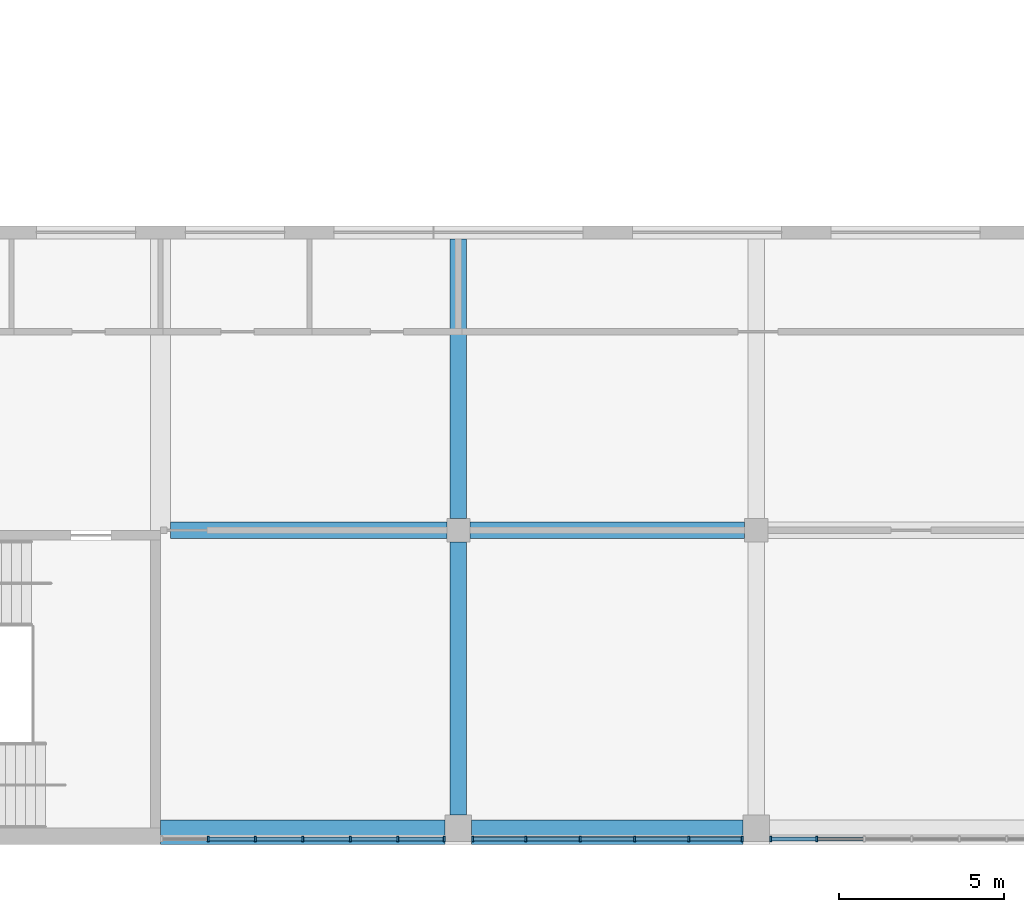
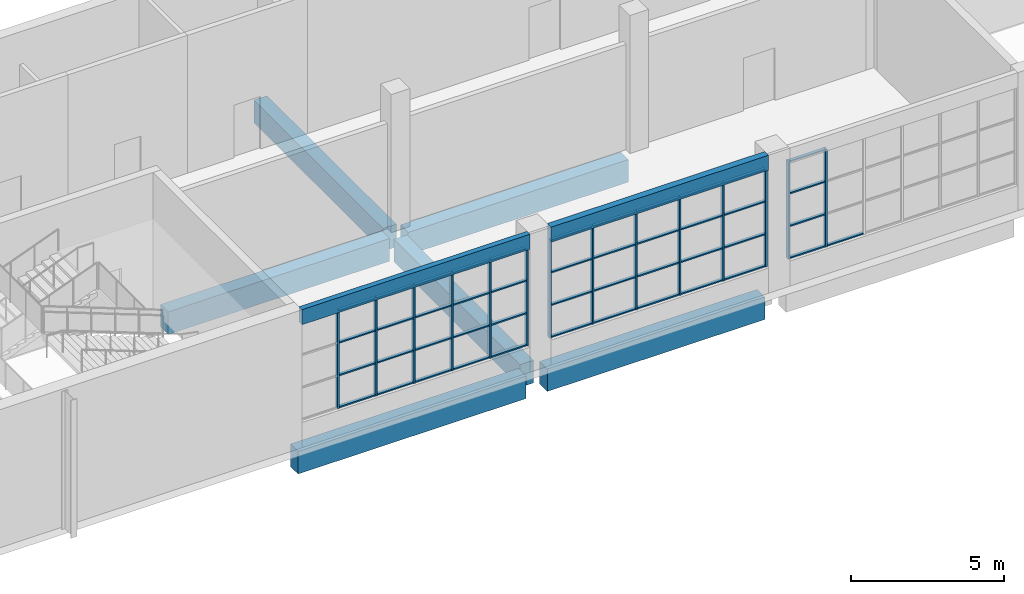
# One storey, part 8 of 84: 59 members, 8 beams, 3 elements without a shape of their own.
"""IFC4 building model written with IfcOpenShell, lengths in metres."""

from ifc_helpers import new_model, si_unit, direction, frame, origin, origin_2d, place, context, subcontext, project, spatial, rectangle, extrude, material, material_profile, profile_set, type_object, element, aggregate, save


model = new_model("IFC4")

# Units and contexts
model_context = context("Model", 3, precision=1e-05, world=origin(), true_north=direction((0.0, 1.0)))
body_context = subcontext(model_context, "Body", "Model", "MODEL_VIEW")
ifc_project = project(units=[si_unit("LENGTHUNIT", "METRE"), si_unit("AREAUNIT", "SQUARE_METRE"), si_unit("VOLUMEUNIT", "CUBIC_METRE"), si_unit("PLANEANGLEUNIT", "RADIAN"), si_unit("MASSUNIT", "GRAM", prefix="KILO")], contexts=[model_context])

# Site, building, storey
site_placement = place(None, origin())
site = spatial("IfcSite", under=ifc_project, at=site_placement, CompositionType="ELEMENT")
building_placement = place(site_placement, origin())
building = spatial("IfcBuilding", under=site, at=building_placement, Name="Silverbay Arena", CompositionType="ELEMENT")
storey_placement = place(building_placement, frame((0.0, 0.0, 28.0)))
storey = spatial("IfcBuildingStorey", under=building, at=storey_placement, Name="L04", CompositionType="ELEMENT", Elevation=28.0)

# Curtain wall, members
ifc_material_1 = material(Name="Aluminium framed curtain wall", Category="aluminium")
curtain_wall_type_1 = type_object("IfcCurtainWallType", Name="Curtain wall 8600 x 3900", PredefinedType="NOTDEFINED", material=ifc_material_1)
curtain_wall_1_placement = place(storey_placement, origin())
curtain_wall_1 = element("IfcCurtainWall", 1, at=curtain_wall_1_placement, inside=storey, type_object=curtain_wall_type_1, Name="South curtain wall L04 bay 8", PredefinedType="NOTDEFINED")
ifc_material_2 = material(Name="Aluminium", Category="aluminium")
ifc_material_profile_1 = material_profile(ifc_material_2, rectangle(XDim=0.159912109375, YDim=0.06005859375, at=origin_2d()), Name="Mullion 60 x 160")
ifc_profile_set_1 = profile_set([ifc_material_profile_1], Name="Aluminium")
member_type_1 = type_object("IfcMemberType", Name="Mullion 60 x 160", PredefinedType="MULLION", material=ifc_profile_set_1)
member_1_placement = place(storey_placement, frame((118.433349609375, 17.669921875, 1.0), z_axis=(0.0, 0.0, 1.0), x_axis=(0.0, 1.0, 0.0)))
member_1 = element("IfcMember", 2, at=member_1_placement, type_object=member_type_1, Name="CW1 mullion 2", PredefinedType="MULLION", context=body_context, shape_type="SweptSolid", body=[
    extrude(rectangle(XDim=0.159912109375, YDim=0.06005859375, at=origin_2d()), origin(), (0.0, 0.0, 1.0), 3.89990234375),
])
member_2_placement = place(storey_placement, frame((119.86669921875, 17.669921875, 1.0), z_axis=(0.0, 0.0, 1.0), x_axis=(0.0, 1.0, 0.0)))
member_2 = element("IfcMember", 3, at=member_2_placement, type_object=member_type_1, Name="CW1 mullion 3", PredefinedType="MULLION", context=body_context, shape_type="SweptSolid", body=[
    extrude(rectangle(XDim=0.159912109375, YDim=0.06005859375, at=origin_2d()), origin(), (0.0, 0.0, 1.0), 3.89990234375),
])
member_3_placement = place(storey_placement, frame((121.300048828125, 17.669921875, 1.0), z_axis=(0.0, 0.0, 1.0), x_axis=(0.0, 1.0, 0.0)))
member_3 = element("IfcMember", 4, at=member_3_placement, type_object=member_type_1, Name="CW1 mullion 4", PredefinedType="MULLION", context=body_context, shape_type="SweptSolid", body=[
    extrude(rectangle(XDim=0.159912109375, YDim=0.06005859375, at=origin_2d()), origin(), (0.0, 0.0, 1.0), 3.89990234375),
])
member_4_placement = place(storey_placement, frame((122.7333984375, 17.669921875, 1.0), z_axis=(0.0, 0.0, 1.0), x_axis=(0.0, 1.0, 0.0)))
member_4 = element("IfcMember", 5, at=member_4_placement, type_object=member_type_1, Name="CW1 mullion 5", PredefinedType="MULLION", context=body_context, shape_type="SweptSolid", body=[
    extrude(rectangle(XDim=0.159912109375, YDim=0.06005859375, at=origin_2d()), origin(), (0.0, 0.0, 1.0), 3.89990234375),
])
member_5_placement = place(storey_placement, frame((124.166748046875, 17.669921875, 1.0), z_axis=(0.0, 0.0, 1.0), x_axis=(0.0, 1.0, 0.0)))
member_5 = element("IfcMember", 6, at=member_5_placement, type_object=member_type_1, Name="CW1 mullion 6", PredefinedType="MULLION", context=body_context, shape_type="SweptSolid", body=[
    extrude(rectangle(XDim=0.159912109375, YDim=0.06005859375, at=origin_2d()), origin(), (0.0, 0.0, 1.0), 3.89990234375),
])
member_6_placement = place(storey_placement, frame((125.570068359375, 17.669921875, 1.0), z_axis=(0.0, 0.0, 1.0), x_axis=(0.0, 1.0, 0.0)))
member_6 = element("IfcMember", 7, at=member_6_placement, type_object=member_type_1, Name="CW1 mullion 7", PredefinedType="MULLION", context=body_context, shape_type="SweptSolid", body=[
    extrude(rectangle(XDim=0.159912109375, YDim=0.06005859375, at=origin_2d()), origin(), (0.0, 0.0, 1.0), 3.89990234375),
])

ifc_material_3 = material(Name="Aluminium framed curtain wall", Category="aluminium")
curtain_wall_type_2 = type_object("IfcCurtainWallType", Name="Curtain wall 8200 x 3900", PredefinedType="NOTDEFINED", material=ifc_material_3)
curtain_wall_2_placement = place(storey_placement, origin())
curtain_wall_2 = element("IfcCurtainWall", 8, at=curtain_wall_2_placement, inside=storey, type_object=curtain_wall_type_2, Name="South curtain wall L04 bay 9", PredefinedType="NOTDEFINED")
member_7_placement = place(storey_placement, frame((126.429931640625, 17.669921875, 1.0), z_axis=(0.0, 0.0, 1.0), x_axis=(0.0, 1.0, 0.0)))
member_7 = element("IfcMember", 9, at=member_7_placement, type_object=member_type_1, Name="CW16 mullion 1", PredefinedType="MULLION", context=body_context, shape_type="SweptSolid", body=[
    extrude(rectangle(XDim=0.159912109375, YDim=0.06005859375, at=origin_2d()), origin(), (0.0, 0.0, 1.0), 3.89990234375),
])
member_8_placement = place(storey_placement, frame((128.0400390625, 17.669921875, 1.0), z_axis=(0.0, 0.0, 1.0), x_axis=(0.0, 1.0, 0.0)))
member_8 = element("IfcMember", 10, at=member_8_placement, type_object=member_type_1, Name="CW16 mullion 2", PredefinedType="MULLION", context=body_context, shape_type="SweptSolid", body=[
    extrude(rectangle(XDim=0.159912109375, YDim=0.06005859375, at=origin_2d()), origin(), (0.0, 0.0, 1.0), 3.89990234375),
])
member_9_placement = place(storey_placement, frame((129.679931640625, 17.669921875, 1.0), z_axis=(0.0, 0.0, 1.0), x_axis=(0.0, 1.0, 0.0)))
member_9 = element("IfcMember", 11, at=member_9_placement, type_object=member_type_1, Name="CW16 mullion 3", PredefinedType="MULLION", context=body_context, shape_type="SweptSolid", body=[
    extrude(rectangle(XDim=0.159912109375, YDim=0.06005859375, at=origin_2d()), origin(), (0.0, 0.0, 1.0), 3.89990234375),
])
member_10_placement = place(storey_placement, frame((131.320068359375, 17.669921875, 1.0), z_axis=(0.0, 0.0, 1.0), x_axis=(0.0, 1.0, 0.0)))
member_10 = element("IfcMember", 12, at=member_10_placement, type_object=member_type_1, Name="CW16 mullion 4", PredefinedType="MULLION", context=body_context, shape_type="SweptSolid", body=[
    extrude(rectangle(XDim=0.159912109375, YDim=0.06005859375, at=origin_2d()), origin(), (0.0, 0.0, 1.0), 3.89990234375),
])
member_11_placement = place(storey_placement, frame((132.9599609375, 17.669921875, 1.0), z_axis=(0.0, 0.0, 1.0), x_axis=(0.0, 1.0, 0.0)))
member_11 = element("IfcMember", 13, at=member_11_placement, type_object=member_type_1, Name="CW16 mullion 5", PredefinedType="MULLION", context=body_context, shape_type="SweptSolid", body=[
    extrude(rectangle(XDim=0.159912109375, YDim=0.06005859375, at=origin_2d()), origin(), (0.0, 0.0, 1.0), 3.89990234375),
])
member_12_placement = place(storey_placement, frame((134.570068359375, 17.669921875, 1.0), z_axis=(0.0, 0.0, 1.0), x_axis=(0.0, 1.0, 0.0)))
member_12 = element("IfcMember", 14, at=member_12_placement, type_object=member_type_1, Name="CW16 mullion 6", PredefinedType="MULLION", context=body_context, shape_type="SweptSolid", body=[
    extrude(rectangle(XDim=0.159912109375, YDim=0.06005859375, at=origin_2d()), origin(), (0.0, 0.0, 1.0), 3.89990234375),
])

curtain_wall_3_placement = place(storey_placement, origin())
curtain_wall_3 = element("IfcCurtainWall", 15, at=curtain_wall_3_placement, inside=storey, type_object=curtain_wall_type_1, Name="South curtain wall L04 bay 10", PredefinedType="NOTDEFINED")
member_13_placement = place(storey_placement, frame((135.429931640625, 17.669921875, 1.0), z_axis=(0.0, 0.0, 1.0), x_axis=(0.0, 1.0, 0.0)))
member_13 = element("IfcMember", 16, at=member_13_placement, type_object=member_type_1, Name="CW1 mullion 1", PredefinedType="MULLION", context=body_context, shape_type="SweptSolid", body=[
    extrude(rectangle(XDim=0.159912109375, YDim=0.06005859375, at=origin_2d()), origin(), (0.0, 0.0, 1.0), 3.89990234375),
])
member_14_placement = place(storey_placement, frame((136.833251953125, 17.669921875, 1.0), z_axis=(0.0, 0.0, 1.0), x_axis=(0.0, 1.0, 0.0)))
member_14 = element("IfcMember", 17, at=member_14_placement, type_object=member_type_1, Name="CW1 mullion 2", PredefinedType="MULLION", context=body_context, shape_type="SweptSolid", body=[
    extrude(rectangle(XDim=0.159912109375, YDim=0.06005859375, at=origin_2d()), origin(), (0.0, 0.0, 1.0), 3.89990234375),
])

# Beams
ifc_material_4 = material(Name="Concrete Grade C45", Category="concrete")
ifc_material_profile_2 = material_profile(ifc_material_4, rectangle(XDim=0.5, YDim=0.89990234375, at=origin_2d()), Name="RC 500x900")
ifc_profile_set_2 = profile_set([ifc_material_profile_2], Name="Concrete Grade C45")
beam_type_1 = type_object("IfcBeamType", Name="RC beam 500x900", PredefinedType="BEAM", material=ifc_profile_set_2)
beam_1_placement = place(storey_placement, frame((117.0, 18.0, -0.75), z_axis=(1.0, 0.0, 0.0), x_axis=(0.0, 1.0, 0.0)))
element("IfcBeam", 18, at=beam_1_placement, inside=storey, type_object=beam_type_1, Name="Floor beam L04 002", PredefinedType="BEAM", context=body_context, shape_type="SweptSolid", body=[
    extrude(rectangle(XDim=0.5, YDim=0.89990234375, at=origin_2d()), origin(), (0.0, 0.0, 1.0), 8.60009765625),
])
beam_2_placement = place(storey_placement, frame((126.39990234375, 18.0, -0.75), z_axis=(1.0, 0.0, 0.0), x_axis=(0.0, 1.0, 0.0)))
element("IfcBeam", 19, at=beam_2_placement, inside=storey, type_object=beam_type_1, Name="Floor beam L04 003", PredefinedType="BEAM", context=body_context, shape_type="SweptSolid", body=[
    extrude(rectangle(XDim=0.5, YDim=0.89990234375, at=origin_2d()), origin(), (0.0, 0.0, 1.0), 8.2001953125),
])
beam_3_placement = place(storey_placement, frame((117.300048828125, 27.0, -0.75), z_axis=(1.0, 0.0, 0.0), x_axis=(0.0, 1.0, 0.0)))
element("IfcBeam", 20, at=beam_3_placement, inside=storey, type_object=beam_type_1, Name="Floor beam L04 007", PredefinedType="BEAM", context=body_context, shape_type="SweptSolid", body=[
    extrude(rectangle(XDim=0.5, YDim=0.89990234375, at=origin_2d()), origin(), (0.0, 0.0, 1.0), 8.349853515625),
])
beam_4_placement = place(storey_placement, frame((126.35009765625, 27.0, -0.75), z_axis=(1.0, 0.0, 0.0), x_axis=(0.0, 1.0, 0.0)))
element("IfcBeam", 21, at=beam_4_placement, inside=storey, type_object=beam_type_1, Name="Floor beam L04 008", PredefinedType="BEAM", context=body_context, shape_type="SweptSolid", body=[
    extrude(rectangle(XDim=0.5, YDim=0.89990234375, at=origin_2d()), origin(), (0.0, 0.0, 1.0), 8.2998046875),
])
beam_5_placement = place(storey_placement, frame((126.0, 18.39990234375, -0.75), z_axis=(0.0, 1.0, 0.0), x_axis=(-1.0, 0.0, 0.0)))
element("IfcBeam", 22, at=beam_5_placement, inside=storey, type_object=beam_type_1, Name="Floor beam L04 115", PredefinedType="BEAM", context=body_context, shape_type="SweptSolid", body=[
    extrude(rectangle(XDim=0.5, YDim=0.89990234375, at=origin_2d()), origin(), (0.0, 0.0, 1.0), 8.25),
])
beam_6_placement = place(storey_placement, frame((126.0, 27.35009765625, -0.75), z_axis=(0.0, 1.0, 0.0), x_axis=(-1.0, 0.0, 0.0)))
element("IfcBeam", 23, at=beam_6_placement, inside=storey, type_object=beam_type_1, Name="Floor beam L04 116", PredefinedType="BEAM", context=body_context, shape_type="SweptSolid", body=[
    extrude(rectangle(XDim=0.5, YDim=0.89990234375, at=origin_2d()), origin(), (0.0, 0.0, 1.0), 8.449951171875),
])
ifc_material_5 = material(Name="Concrete Grade C45", Category="concrete")
ifc_material_profile_3 = material_profile(ifc_material_5, rectangle(XDim=0.199951171875, YDim=0.60009765625, at=origin_2d()), Name="RC 200x600")
ifc_profile_set_3 = profile_set([ifc_material_profile_3], Name="Concrete Grade C45")
beam_type_2 = type_object("IfcBeamType", Name="RC facade beam 200x600", PredefinedType="SPANDREL", material=ifc_profile_set_3)
beam_7_placement = place(storey_placement, frame((117.0, 17.60009765625, 5.199951171875), z_axis=(1.0, 0.0, 0.0), x_axis=(0.0, 1.0, 0.0)))
element("IfcBeam", 24, at=beam_7_placement, inside=storey, type_object=beam_type_2, Name="Facade beam L04 south", PredefinedType="SPANDREL", context=body_context, shape_type="SweptSolid", body=[
    extrude(rectangle(XDim=0.199951171875, YDim=0.60009765625, at=origin_2d()), origin(), (0.0, 0.0, 1.0), 8.60009765625),
])
ifc_material_6 = material(Name="Concrete Grade C45", Category="concrete")
ifc_material_profile_4 = material_profile(ifc_material_6, rectangle(XDim=0.25, YDim=0.60009765625, at=origin_2d()), Name="RC 250x600")
ifc_profile_set_4 = profile_set([ifc_material_profile_4], Name="Concrete Grade C45")
beam_type_3 = type_object("IfcBeamType", Name="RC facade beam 250x600", PredefinedType="SPANDREL", material=ifc_profile_set_4)
beam_8_placement = place(storey_placement, frame((126.39990234375, 17.625, 5.199951171875), z_axis=(1.0, 0.0, 0.0), x_axis=(0.0, 1.0, 0.0)))
element("IfcBeam", 25, at=beam_8_placement, inside=storey, type_object=beam_type_3, Name="Facade beam L04 south", PredefinedType="SPANDREL", context=body_context, shape_type="SweptSolid", body=[
    extrude(rectangle(XDim=0.25, YDim=0.60009765625, at=origin_2d()), origin(), (0.0, 0.0, 1.0), 8.2001953125),
])

# Member
ifc_material_7 = material(Name="Aluminium", Category="aluminium")
ifc_material_profile_5 = material_profile(ifc_material_7, rectangle(XDim=0.1201171875, YDim=0.050048828125, at=origin_2d()), Name="Transom 50 x 120")
ifc_profile_set_5 = profile_set([ifc_material_profile_5], Name="Aluminium")
member_type_2 = type_object("IfcMemberType", Name="Transom 50 x 120", PredefinedType="USERDEFINED", material=ifc_profile_set_5)
member_15_placement = place(storey_placement, frame((118.46337890625, 17.669921875, 1.02490234375), z_axis=(1.0, 0.0, 0.0), x_axis=(0.0, 1.0, 0.0)))
member_15 = element("IfcMember", 26, at=member_15_placement, type_object=member_type_2, Name="CW1 transom 2.1", ObjectType="TRANSOM", PredefinedType="USERDEFINED", context=body_context, shape_type="SweptSolid", body=[
    extrude(rectangle(XDim=0.1201171875, YDim=0.050048828125, at=origin_2d()), origin(), (0.0, 0.0, 1.0), 1.373291015625),
])

member_16_placement = place(storey_placement, frame((118.46337890625, 17.669921875, 2.300048828125), z_axis=(1.0, 0.0, 0.0), x_axis=(0.0, 1.0, 0.0)))
member_16 = element("IfcMember", 27, at=member_16_placement, type_object=member_type_2, Name="CW1 transom 2.2", ObjectType="TRANSOM", PredefinedType="USERDEFINED", context=body_context, shape_type="SweptSolid", body=[
    extrude(rectangle(XDim=0.1201171875, YDim=0.050048828125, at=origin_2d()), origin(), (0.0, 0.0, 1.0), 1.373291015625),
])

member_17_placement = place(storey_placement, frame((118.46337890625, 17.669921875, 3.60009765625), z_axis=(1.0, 0.0, 0.0), x_axis=(0.0, 1.0, 0.0)))
member_17 = element("IfcMember", 28, at=member_17_placement, type_object=member_type_2, Name="CW1 transom 2.3", ObjectType="TRANSOM", PredefinedType="USERDEFINED", context=body_context, shape_type="SweptSolid", body=[
    extrude(rectangle(XDim=0.1201171875, YDim=0.050048828125, at=origin_2d()), origin(), (0.0, 0.0, 1.0), 1.373291015625),
])

member_18_placement = place(storey_placement, frame((118.46337890625, 17.669921875, 4.875), z_axis=(1.0, 0.0, 0.0), x_axis=(0.0, 1.0, 0.0)))
member_18 = element("IfcMember", 29, at=member_18_placement, type_object=member_type_2, Name="CW1 transom 2.4", ObjectType="TRANSOM", PredefinedType="USERDEFINED", context=body_context, shape_type="SweptSolid", body=[
    extrude(rectangle(XDim=0.1201171875, YDim=0.050048828125, at=origin_2d()), origin(), (0.0, 0.0, 1.0), 1.373291015625),
])

member_19_placement = place(storey_placement, frame((119.896728515625, 17.669921875, 1.02490234375), z_axis=(1.0, 0.0, 0.0), x_axis=(0.0, 1.0, 0.0)))
member_19 = element("IfcMember", 30, at=member_19_placement, type_object=member_type_2, Name="CW1 transom 3.1", ObjectType="TRANSOM", PredefinedType="USERDEFINED", context=body_context, shape_type="SweptSolid", body=[
    extrude(rectangle(XDim=0.1201171875, YDim=0.050048828125, at=origin_2d()), origin(), (0.0, 0.0, 1.0), 1.373291015625),
])

member_20_placement = place(storey_placement, frame((119.896728515625, 17.669921875, 2.300048828125), z_axis=(1.0, 0.0, 0.0), x_axis=(0.0, 1.0, 0.0)))
member_20 = element("IfcMember", 31, at=member_20_placement, type_object=member_type_2, Name="CW1 transom 3.2", ObjectType="TRANSOM", PredefinedType="USERDEFINED", context=body_context, shape_type="SweptSolid", body=[
    extrude(rectangle(XDim=0.1201171875, YDim=0.050048828125, at=origin_2d()), origin(), (0.0, 0.0, 1.0), 1.373291015625),
])

member_21_placement = place(storey_placement, frame((119.896728515625, 17.669921875, 3.60009765625), z_axis=(1.0, 0.0, 0.0), x_axis=(0.0, 1.0, 0.0)))
member_21 = element("IfcMember", 32, at=member_21_placement, type_object=member_type_2, Name="CW1 transom 3.3", ObjectType="TRANSOM", PredefinedType="USERDEFINED", context=body_context, shape_type="SweptSolid", body=[
    extrude(rectangle(XDim=0.1201171875, YDim=0.050048828125, at=origin_2d()), origin(), (0.0, 0.0, 1.0), 1.373291015625),
])

member_22_placement = place(storey_placement, frame((119.896728515625, 17.669921875, 4.875), z_axis=(1.0, 0.0, 0.0), x_axis=(0.0, 1.0, 0.0)))
member_22 = element("IfcMember", 33, at=member_22_placement, type_object=member_type_2, Name="CW1 transom 3.4", ObjectType="TRANSOM", PredefinedType="USERDEFINED", context=body_context, shape_type="SweptSolid", body=[
    extrude(rectangle(XDim=0.1201171875, YDim=0.050048828125, at=origin_2d()), origin(), (0.0, 0.0, 1.0), 1.373291015625),
])

member_23_placement = place(storey_placement, frame((121.330078125, 17.669921875, 1.02490234375), z_axis=(1.0, 0.0, 0.0), x_axis=(0.0, 1.0, 0.0)))
member_23 = element("IfcMember", 34, at=member_23_placement, type_object=member_type_2, Name="CW1 transom 4.1", ObjectType="TRANSOM", PredefinedType="USERDEFINED", context=body_context, shape_type="SweptSolid", body=[
    extrude(rectangle(XDim=0.1201171875, YDim=0.050048828125, at=origin_2d()), origin(), (0.0, 0.0, 1.0), 1.373291015625),
])

member_24_placement = place(storey_placement, frame((121.330078125, 17.669921875, 2.300048828125), z_axis=(1.0, 0.0, 0.0), x_axis=(0.0, 1.0, 0.0)))
member_24 = element("IfcMember", 35, at=member_24_placement, type_object=member_type_2, Name="CW1 transom 4.2", ObjectType="TRANSOM", PredefinedType="USERDEFINED", context=body_context, shape_type="SweptSolid", body=[
    extrude(rectangle(XDim=0.1201171875, YDim=0.050048828125, at=origin_2d()), origin(), (0.0, 0.0, 1.0), 1.373291015625),
])

member_25_placement = place(storey_placement, frame((121.330078125, 17.669921875, 3.60009765625), z_axis=(1.0, 0.0, 0.0), x_axis=(0.0, 1.0, 0.0)))
member_25 = element("IfcMember", 36, at=member_25_placement, type_object=member_type_2, Name="CW1 transom 4.3", ObjectType="TRANSOM", PredefinedType="USERDEFINED", context=body_context, shape_type="SweptSolid", body=[
    extrude(rectangle(XDim=0.1201171875, YDim=0.050048828125, at=origin_2d()), origin(), (0.0, 0.0, 1.0), 1.373291015625),
])

member_26_placement = place(storey_placement, frame((121.330078125, 17.669921875, 4.875), z_axis=(1.0, 0.0, 0.0), x_axis=(0.0, 1.0, 0.0)))
member_26 = element("IfcMember", 37, at=member_26_placement, type_object=member_type_2, Name="CW1 transom 4.4", ObjectType="TRANSOM", PredefinedType="USERDEFINED", context=body_context, shape_type="SweptSolid", body=[
    extrude(rectangle(XDim=0.1201171875, YDim=0.050048828125, at=origin_2d()), origin(), (0.0, 0.0, 1.0), 1.373291015625),
])

member_27_placement = place(storey_placement, frame((122.763427734375, 17.669921875, 1.02490234375), z_axis=(1.0, 0.0, 0.0), x_axis=(0.0, 1.0, 0.0)))
member_27 = element("IfcMember", 38, at=member_27_placement, type_object=member_type_2, Name="CW1 transom 5.1", ObjectType="TRANSOM", PredefinedType="USERDEFINED", context=body_context, shape_type="SweptSolid", body=[
    extrude(rectangle(XDim=0.1201171875, YDim=0.050048828125, at=origin_2d()), origin(), (0.0, 0.0, 1.0), 1.373291015625),
])

member_28_placement = place(storey_placement, frame((122.763427734375, 17.669921875, 2.300048828125), z_axis=(1.0, 0.0, 0.0), x_axis=(0.0, 1.0, 0.0)))
member_28 = element("IfcMember", 39, at=member_28_placement, type_object=member_type_2, Name="CW1 transom 5.2", ObjectType="TRANSOM", PredefinedType="USERDEFINED", context=body_context, shape_type="SweptSolid", body=[
    extrude(rectangle(XDim=0.1201171875, YDim=0.050048828125, at=origin_2d()), origin(), (0.0, 0.0, 1.0), 1.373291015625),
])

member_29_placement = place(storey_placement, frame((122.763427734375, 17.669921875, 3.60009765625), z_axis=(1.0, 0.0, 0.0), x_axis=(0.0, 1.0, 0.0)))
member_29 = element("IfcMember", 40, at=member_29_placement, type_object=member_type_2, Name="CW1 transom 5.3", ObjectType="TRANSOM", PredefinedType="USERDEFINED", context=body_context, shape_type="SweptSolid", body=[
    extrude(rectangle(XDim=0.1201171875, YDim=0.050048828125, at=origin_2d()), origin(), (0.0, 0.0, 1.0), 1.373291015625),
])

member_30_placement = place(storey_placement, frame((122.763427734375, 17.669921875, 4.875), z_axis=(1.0, 0.0, 0.0), x_axis=(0.0, 1.0, 0.0)))
member_30 = element("IfcMember", 41, at=member_30_placement, type_object=member_type_2, Name="CW1 transom 5.4", ObjectType="TRANSOM", PredefinedType="USERDEFINED", context=body_context, shape_type="SweptSolid", body=[
    extrude(rectangle(XDim=0.1201171875, YDim=0.050048828125, at=origin_2d()), origin(), (0.0, 0.0, 1.0), 1.373291015625),
])

member_31_placement = place(storey_placement, frame((124.19677734375, 17.669921875, 1.02490234375), z_axis=(1.0, 0.0, 0.0), x_axis=(0.0, 1.0, 0.0)))
member_31 = element("IfcMember", 42, at=member_31_placement, type_object=member_type_2, Name="CW1 transom 6.1", ObjectType="TRANSOM", PredefinedType="USERDEFINED", context=body_context, shape_type="SweptSolid", body=[
    extrude(rectangle(XDim=0.1201171875, YDim=0.050048828125, at=origin_2d()), origin(), (0.0, 0.0, 1.0), 1.34326171875),
])

member_32_placement = place(storey_placement, frame((124.19677734375, 17.669921875, 2.300048828125), z_axis=(1.0, 0.0, 0.0), x_axis=(0.0, 1.0, 0.0)))
member_32 = element("IfcMember", 43, at=member_32_placement, type_object=member_type_2, Name="CW1 transom 6.2", ObjectType="TRANSOM", PredefinedType="USERDEFINED", context=body_context, shape_type="SweptSolid", body=[
    extrude(rectangle(XDim=0.1201171875, YDim=0.050048828125, at=origin_2d()), origin(), (0.0, 0.0, 1.0), 1.34326171875),
])

member_33_placement = place(storey_placement, frame((124.19677734375, 17.669921875, 3.60009765625), z_axis=(1.0, 0.0, 0.0), x_axis=(0.0, 1.0, 0.0)))
member_33 = element("IfcMember", 44, at=member_33_placement, type_object=member_type_2, Name="CW1 transom 6.3", ObjectType="TRANSOM", PredefinedType="USERDEFINED", context=body_context, shape_type="SweptSolid", body=[
    extrude(rectangle(XDim=0.1201171875, YDim=0.050048828125, at=origin_2d()), origin(), (0.0, 0.0, 1.0), 1.34326171875),
])

member_34_placement = place(storey_placement, frame((124.19677734375, 17.669921875, 4.875), z_axis=(1.0, 0.0, 0.0), x_axis=(0.0, 1.0, 0.0)))
member_34 = element("IfcMember", 45, at=member_34_placement, type_object=member_type_2, Name="CW1 transom 6.4", ObjectType="TRANSOM", PredefinedType="USERDEFINED", context=body_context, shape_type="SweptSolid", body=[
    extrude(rectangle(XDim=0.1201171875, YDim=0.050048828125, at=origin_2d()), origin(), (0.0, 0.0, 1.0), 1.34326171875),
])

aggregate(curtain_wall_1, [member_1, member_2, member_3, member_4, member_5, member_6, member_15, member_16, member_17, member_18, member_19, member_20, member_21, member_22, member_23, member_24, member_25, member_26, member_27, member_28, member_29, member_30, member_31, member_32, member_33, member_34])

member_35_placement = place(storey_placement, frame((126.4599609375, 17.669921875, 1.02490234375), z_axis=(1.0, 0.0, 0.0), x_axis=(0.0, 1.0, 0.0)))
member_35 = element("IfcMember", 46, at=member_35_placement, type_object=member_type_2, Name="CW16 transom 1.1", ObjectType="TRANSOM", PredefinedType="USERDEFINED", context=body_context, shape_type="SweptSolid", body=[
    extrude(rectangle(XDim=0.1201171875, YDim=0.050048828125, at=origin_2d()), origin(), (0.0, 0.0, 1.0), 1.550048828125),
])

member_36_placement = place(storey_placement, frame((126.4599609375, 17.669921875, 2.300048828125), z_axis=(1.0, 0.0, 0.0), x_axis=(0.0, 1.0, 0.0)))
member_36 = element("IfcMember", 47, at=member_36_placement, type_object=member_type_2, Name="CW16 transom 1.2", ObjectType="TRANSOM", PredefinedType="USERDEFINED", context=body_context, shape_type="SweptSolid", body=[
    extrude(rectangle(XDim=0.1201171875, YDim=0.050048828125, at=origin_2d()), origin(), (0.0, 0.0, 1.0), 1.550048828125),
])

member_37_placement = place(storey_placement, frame((126.4599609375, 17.669921875, 3.60009765625), z_axis=(1.0, 0.0, 0.0), x_axis=(0.0, 1.0, 0.0)))
member_37 = element("IfcMember", 48, at=member_37_placement, type_object=member_type_2, Name="CW16 transom 1.3", ObjectType="TRANSOM", PredefinedType="USERDEFINED", context=body_context, shape_type="SweptSolid", body=[
    extrude(rectangle(XDim=0.1201171875, YDim=0.050048828125, at=origin_2d()), origin(), (0.0, 0.0, 1.0), 1.550048828125),
])

member_38_placement = place(storey_placement, frame((126.4599609375, 17.669921875, 4.875), z_axis=(1.0, 0.0, 0.0), x_axis=(0.0, 1.0, 0.0)))
member_38 = element("IfcMember", 49, at=member_38_placement, type_object=member_type_2, Name="CW16 transom 1.4", ObjectType="TRANSOM", PredefinedType="USERDEFINED", context=body_context, shape_type="SweptSolid", body=[
    extrude(rectangle(XDim=0.1201171875, YDim=0.050048828125, at=origin_2d()), origin(), (0.0, 0.0, 1.0), 1.550048828125),
])

member_39_placement = place(storey_placement, frame((128.070068359375, 17.669921875, 1.02490234375), z_axis=(1.0, 0.0, 0.0), x_axis=(0.0, 1.0, 0.0)))
member_39 = element("IfcMember", 50, at=member_39_placement, type_object=member_type_2, Name="CW16 transom 2.1", ObjectType="TRANSOM", PredefinedType="USERDEFINED", context=body_context, shape_type="SweptSolid", body=[
    extrude(rectangle(XDim=0.1201171875, YDim=0.050048828125, at=origin_2d()), origin(), (0.0, 0.0, 1.0), 1.579833984375),
])

member_40_placement = place(storey_placement, frame((128.070068359375, 17.669921875, 2.300048828125), z_axis=(1.0, 0.0, 0.0), x_axis=(0.0, 1.0, 0.0)))
member_40 = element("IfcMember", 51, at=member_40_placement, type_object=member_type_2, Name="CW16 transom 2.2", ObjectType="TRANSOM", PredefinedType="USERDEFINED", context=body_context, shape_type="SweptSolid", body=[
    extrude(rectangle(XDim=0.1201171875, YDim=0.050048828125, at=origin_2d()), origin(), (0.0, 0.0, 1.0), 1.579833984375),
])

member_41_placement = place(storey_placement, frame((128.070068359375, 17.669921875, 3.60009765625), z_axis=(1.0, 0.0, 0.0), x_axis=(0.0, 1.0, 0.0)))
member_41 = element("IfcMember", 52, at=member_41_placement, type_object=member_type_2, Name="CW16 transom 2.3", ObjectType="TRANSOM", PredefinedType="USERDEFINED", context=body_context, shape_type="SweptSolid", body=[
    extrude(rectangle(XDim=0.1201171875, YDim=0.050048828125, at=origin_2d()), origin(), (0.0, 0.0, 1.0), 1.579833984375),
])

member_42_placement = place(storey_placement, frame((128.070068359375, 17.669921875, 4.875), z_axis=(1.0, 0.0, 0.0), x_axis=(0.0, 1.0, 0.0)))
member_42 = element("IfcMember", 53, at=member_42_placement, type_object=member_type_2, Name="CW16 transom 2.4", ObjectType="TRANSOM", PredefinedType="USERDEFINED", context=body_context, shape_type="SweptSolid", body=[
    extrude(rectangle(XDim=0.1201171875, YDim=0.050048828125, at=origin_2d()), origin(), (0.0, 0.0, 1.0), 1.579833984375),
])

member_43_placement = place(storey_placement, frame((129.7099609375, 17.669921875, 1.02490234375), z_axis=(1.0, 0.0, 0.0), x_axis=(0.0, 1.0, 0.0)))
member_43 = element("IfcMember", 54, at=member_43_placement, type_object=member_type_2, Name="CW16 transom 3.1", ObjectType="TRANSOM", PredefinedType="USERDEFINED", context=body_context, shape_type="SweptSolid", body=[
    extrude(rectangle(XDim=0.1201171875, YDim=0.050048828125, at=origin_2d()), origin(), (0.0, 0.0, 1.0), 1.580078125),
])

member_44_placement = place(storey_placement, frame((129.7099609375, 17.669921875, 2.300048828125), z_axis=(1.0, 0.0, 0.0), x_axis=(0.0, 1.0, 0.0)))
member_44 = element("IfcMember", 55, at=member_44_placement, type_object=member_type_2, Name="CW16 transom 3.2", ObjectType="TRANSOM", PredefinedType="USERDEFINED", context=body_context, shape_type="SweptSolid", body=[
    extrude(rectangle(XDim=0.1201171875, YDim=0.050048828125, at=origin_2d()), origin(), (0.0, 0.0, 1.0), 1.580078125),
])

member_45_placement = place(storey_placement, frame((129.7099609375, 17.669921875, 3.60009765625), z_axis=(1.0, 0.0, 0.0), x_axis=(0.0, 1.0, 0.0)))
member_45 = element("IfcMember", 56, at=member_45_placement, type_object=member_type_2, Name="CW16 transom 3.3", ObjectType="TRANSOM", PredefinedType="USERDEFINED", context=body_context, shape_type="SweptSolid", body=[
    extrude(rectangle(XDim=0.1201171875, YDim=0.050048828125, at=origin_2d()), origin(), (0.0, 0.0, 1.0), 1.580078125),
])

member_46_placement = place(storey_placement, frame((129.7099609375, 17.669921875, 4.875), z_axis=(1.0, 0.0, 0.0), x_axis=(0.0, 1.0, 0.0)))
member_46 = element("IfcMember", 57, at=member_46_placement, type_object=member_type_2, Name="CW16 transom 3.4", ObjectType="TRANSOM", PredefinedType="USERDEFINED", context=body_context, shape_type="SweptSolid", body=[
    extrude(rectangle(XDim=0.1201171875, YDim=0.050048828125, at=origin_2d()), origin(), (0.0, 0.0, 1.0), 1.580078125),
])

member_47_placement = place(storey_placement, frame((131.35009765625, 17.669921875, 1.02490234375), z_axis=(1.0, 0.0, 0.0), x_axis=(0.0, 1.0, 0.0)))
member_47 = element("IfcMember", 58, at=member_47_placement, type_object=member_type_2, Name="CW16 transom 4.1", ObjectType="TRANSOM", PredefinedType="USERDEFINED", context=body_context, shape_type="SweptSolid", body=[
    extrude(rectangle(XDim=0.1201171875, YDim=0.050048828125, at=origin_2d()), origin(), (0.0, 0.0, 1.0), 1.579833984375),
])

member_48_placement = place(storey_placement, frame((131.35009765625, 17.669921875, 2.300048828125), z_axis=(1.0, 0.0, 0.0), x_axis=(0.0, 1.0, 0.0)))
member_48 = element("IfcMember", 59, at=member_48_placement, type_object=member_type_2, Name="CW16 transom 4.2", ObjectType="TRANSOM", PredefinedType="USERDEFINED", context=body_context, shape_type="SweptSolid", body=[
    extrude(rectangle(XDim=0.1201171875, YDim=0.050048828125, at=origin_2d()), origin(), (0.0, 0.0, 1.0), 1.579833984375),
])

member_49_placement = place(storey_placement, frame((131.35009765625, 17.669921875, 3.60009765625), z_axis=(1.0, 0.0, 0.0), x_axis=(0.0, 1.0, 0.0)))
member_49 = element("IfcMember", 60, at=member_49_placement, type_object=member_type_2, Name="CW16 transom 4.3", ObjectType="TRANSOM", PredefinedType="USERDEFINED", context=body_context, shape_type="SweptSolid", body=[
    extrude(rectangle(XDim=0.1201171875, YDim=0.050048828125, at=origin_2d()), origin(), (0.0, 0.0, 1.0), 1.579833984375),
])

member_50_placement = place(storey_placement, frame((131.35009765625, 17.669921875, 4.875), z_axis=(1.0, 0.0, 0.0), x_axis=(0.0, 1.0, 0.0)))
member_50 = element("IfcMember", 61, at=member_50_placement, type_object=member_type_2, Name="CW16 transom 4.4", ObjectType="TRANSOM", PredefinedType="USERDEFINED", context=body_context, shape_type="SweptSolid", body=[
    extrude(rectangle(XDim=0.1201171875, YDim=0.050048828125, at=origin_2d()), origin(), (0.0, 0.0, 1.0), 1.579833984375),
])

member_51_placement = place(storey_placement, frame((132.989990234375, 17.669921875, 1.02490234375), z_axis=(1.0, 0.0, 0.0), x_axis=(0.0, 1.0, 0.0)))
member_51 = element("IfcMember", 62, at=member_51_placement, type_object=member_type_2, Name="CW16 transom 5.1", ObjectType="TRANSOM", PredefinedType="USERDEFINED", context=body_context, shape_type="SweptSolid", body=[
    extrude(rectangle(XDim=0.1201171875, YDim=0.050048828125, at=origin_2d()), origin(), (0.0, 0.0, 1.0), 1.550048828125),
])

member_52_placement = place(storey_placement, frame((132.989990234375, 17.669921875, 2.300048828125), z_axis=(1.0, 0.0, 0.0), x_axis=(0.0, 1.0, 0.0)))
member_52 = element("IfcMember", 63, at=member_52_placement, type_object=member_type_2, Name="CW16 transom 5.2", ObjectType="TRANSOM", PredefinedType="USERDEFINED", context=body_context, shape_type="SweptSolid", body=[
    extrude(rectangle(XDim=0.1201171875, YDim=0.050048828125, at=origin_2d()), origin(), (0.0, 0.0, 1.0), 1.550048828125),
])

member_53_placement = place(storey_placement, frame((132.989990234375, 17.669921875, 3.60009765625), z_axis=(1.0, 0.0, 0.0), x_axis=(0.0, 1.0, 0.0)))
member_53 = element("IfcMember", 64, at=member_53_placement, type_object=member_type_2, Name="CW16 transom 5.3", ObjectType="TRANSOM", PredefinedType="USERDEFINED", context=body_context, shape_type="SweptSolid", body=[
    extrude(rectangle(XDim=0.1201171875, YDim=0.050048828125, at=origin_2d()), origin(), (0.0, 0.0, 1.0), 1.550048828125),
])

member_54_placement = place(storey_placement, frame((132.989990234375, 17.669921875, 4.875), z_axis=(1.0, 0.0, 0.0), x_axis=(0.0, 1.0, 0.0)))
member_54 = element("IfcMember", 65, at=member_54_placement, type_object=member_type_2, Name="CW16 transom 5.4", ObjectType="TRANSOM", PredefinedType="USERDEFINED", context=body_context, shape_type="SweptSolid", body=[
    extrude(rectangle(XDim=0.1201171875, YDim=0.050048828125, at=origin_2d()), origin(), (0.0, 0.0, 1.0), 1.550048828125),
])

aggregate(curtain_wall_2, [member_7, member_8, member_9, member_10, member_11, member_12, member_35, member_36, member_37, member_38, member_39, member_40, member_41, member_42, member_43, member_44, member_45, member_46, member_47, member_48, member_49, member_50, member_51, member_52, member_53, member_54])

member_55_placement = place(storey_placement, frame((135.4599609375, 17.669921875, 1.02490234375), z_axis=(1.0, 0.0, 0.0), x_axis=(0.0, 1.0, 0.0)))
member_55 = element("IfcMember", 66, at=member_55_placement, type_object=member_type_2, Name="CW1 transom 1.1", ObjectType="TRANSOM", PredefinedType="USERDEFINED", context=body_context, shape_type="SweptSolid", body=[
    extrude(rectangle(XDim=0.1201171875, YDim=0.050048828125, at=origin_2d()), origin(), (0.0, 0.0, 1.0), 1.34326171875),
])

member_56_placement = place(storey_placement, frame((135.4599609375, 17.669921875, 2.300048828125), z_axis=(1.0, 0.0, 0.0), x_axis=(0.0, 1.0, 0.0)))
member_56 = element("IfcMember", 67, at=member_56_placement, type_object=member_type_2, Name="CW1 transom 1.2", ObjectType="TRANSOM", PredefinedType="USERDEFINED", context=body_context, shape_type="SweptSolid", body=[
    extrude(rectangle(XDim=0.1201171875, YDim=0.050048828125, at=origin_2d()), origin(), (0.0, 0.0, 1.0), 1.34326171875),
])

member_57_placement = place(storey_placement, frame((135.4599609375, 17.669921875, 3.60009765625), z_axis=(1.0, 0.0, 0.0), x_axis=(0.0, 1.0, 0.0)))
member_57 = element("IfcMember", 68, at=member_57_placement, type_object=member_type_2, Name="CW1 transom 1.3", ObjectType="TRANSOM", PredefinedType="USERDEFINED", context=body_context, shape_type="SweptSolid", body=[
    extrude(rectangle(XDim=0.1201171875, YDim=0.050048828125, at=origin_2d()), origin(), (0.0, 0.0, 1.0), 1.34326171875),
])

member_58_placement = place(storey_placement, frame((135.4599609375, 17.669921875, 4.875), z_axis=(1.0, 0.0, 0.0), x_axis=(0.0, 1.0, 0.0)))
member_58 = element("IfcMember", 69, at=member_58_placement, type_object=member_type_2, Name="CW1 transom 1.4", ObjectType="TRANSOM", PredefinedType="USERDEFINED", context=body_context, shape_type="SweptSolid", body=[
    extrude(rectangle(XDim=0.1201171875, YDim=0.050048828125, at=origin_2d()), origin(), (0.0, 0.0, 1.0), 1.34326171875),
])

member_59_placement = place(storey_placement, frame((136.86328125, 17.669921875, 1.02490234375), z_axis=(1.0, 0.0, 0.0), x_axis=(0.0, 1.0, 0.0)))
member_59 = element("IfcMember", 70, at=member_59_placement, type_object=member_type_2, Name="CW1 transom 2.1", ObjectType="TRANSOM", PredefinedType="USERDEFINED", context=body_context, shape_type="SweptSolid", body=[
    extrude(rectangle(XDim=0.1201171875, YDim=0.050048828125, at=origin_2d()), origin(), (0.0, 0.0, 1.0), 1.373291015625),
])

aggregate(curtain_wall_3, [member_13, member_14, member_55, member_56, member_57, member_58, member_59])

save(model, "model.ifc")
